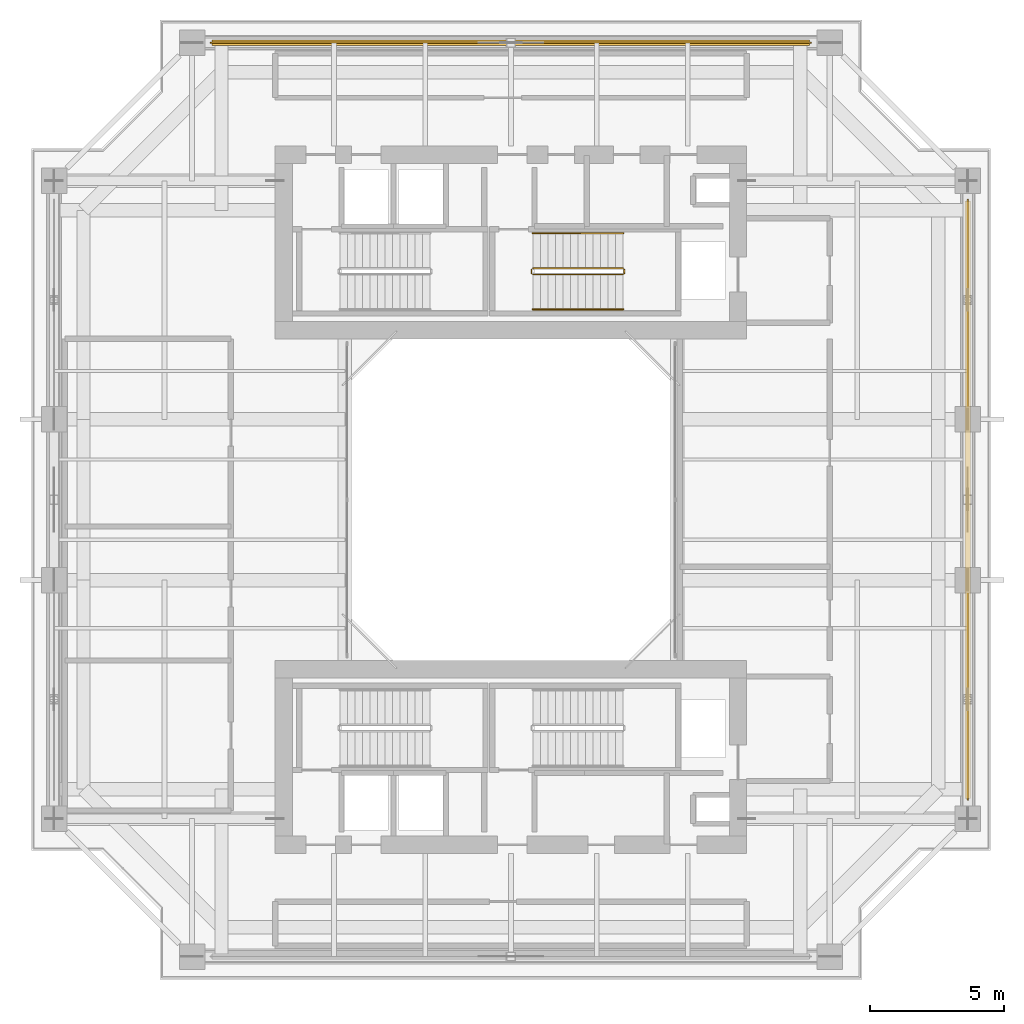
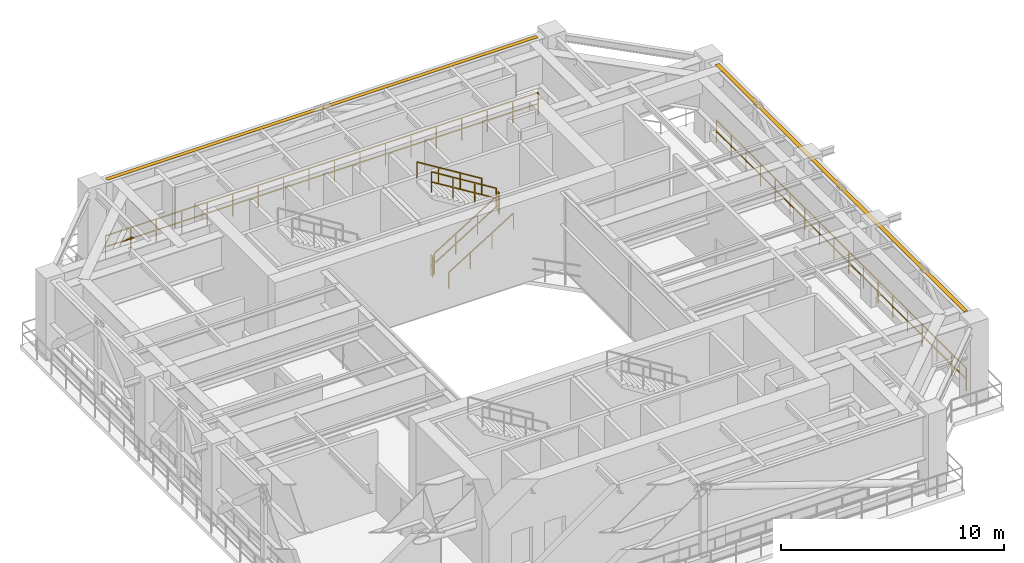
# One storey, part 11 of 11: 8 railings, 2 shading devices.
"""IFC4 building model written with IfcOpenShell, lengths in metres."""

from ifc_helpers import new_model, si_unit, direction, frame, origin, origin_2d, place, context, subcontext, project, spatial, rectangle, extrude, source, transform, mapped, material, material_profile, profile_set, type_object, element, save


model = new_model("IFC4")

# Units and contexts
model_context = context("Model", 3, precision=1e-05, world=origin(), true_north=direction((0.0, 1.0)))
body_context = subcontext(model_context, "Body", "Model", "MODEL_VIEW")
ifc_project = project(units=[si_unit("LENGTHUNIT", "METRE"), si_unit("AREAUNIT", "SQUARE_METRE"), si_unit("VOLUMEUNIT", "CUBIC_METRE"), si_unit("PLANEANGLEUNIT", "RADIAN"), si_unit("MASSUNIT", "GRAM", prefix="KILO"), si_unit("THERMODYNAMICTEMPERATUREUNIT", "KELVIN"), si_unit("POWERUNIT", "WATT")], contexts=[model_context])

# Site, building, storey
site_placement = place(None, origin())
site = spatial("IfcSite", under=ifc_project, at=site_placement, CompositionType="ELEMENT")
building_placement = place(site_placement, origin())
building = spatial("IfcBuilding", under=site, at=building_placement, Name="Qiaomeng Ring Towers", CompositionType="ELEMENT")
storey_placement = place(building_placement, frame((0.0, 0.0, 186.0)))
storey = spatial("IfcBuildingStorey", under=building, at=storey_placement, Name="L54", CompositionType="ELEMENT", Elevation=186.0)

# Railings
ifc_material_1 = material(Name="Stainless steel 316", Category="steel")
railing_type_1 = type_object("IfcRailingType", Name="ARC-RL-BAL2", PredefinedType="BALUSTRADE", material=ifc_material_1)
railing_1_placement = place(storey_placement, frame((30.199951171875, 40.050048828125, 0.0)))
element("IfcRailing", 1, at=railing_1_placement, inside=storey, type_object=railing_type_1, Name="L54 Open Refuge Band Perimeter Guard N", PredefinedType="BALUSTRADE", context=body_context, shape_type="SweptSolid", body=[
    extrude(rectangle(XDim=0.048095703125, YDim=0.048095703125, at=origin_2d()), frame((0.0, 0.0, 1.22607421875), z_axis=(-1.0, 0.0, 0.0), x_axis=(0.0, -1.0, 0.0)), (0.0, 0.0, 1.0), 22.39990234375),
    extrude(rectangle(XDim=0.048095703125, YDim=0.048095703125, at=origin_2d()), frame((0.0, 0.0, 0.625), z_axis=(-1.0, 0.0, 0.0), x_axis=(0.0, -1.0, 0.0)), (0.0, 0.0, 1.0), 22.39990234375),
    extrude(rectangle(XDim=0.0419921875, YDim=0.0419921875, at=origin_2d()), origin(), (0.0, 0.0, 1.0), 1.201904296875),
    extrude(rectangle(XDim=0.0419921875, YDim=0.0419921875, at=origin_2d()), frame((-1.317626953125, 0.0, 0.0)), (0.0, 0.0, 1.0), 1.201904296875),
    extrude(rectangle(XDim=0.0419921875, YDim=0.0419921875, at=origin_2d()), frame((-2.63525390625, 0.0, 0.0)), (0.0, 0.0, 1.0), 1.201904296875),
    extrude(rectangle(XDim=0.0419921875, YDim=0.0419921875, at=origin_2d()), frame((-3.952880859375, 0.0, 0.0)), (0.0, 0.0, 1.0), 1.201904296875),
    extrude(rectangle(XDim=0.0419921875, YDim=0.0419921875, at=origin_2d()), frame((-5.2705078125, 0.0, 0.0)), (0.0, 0.0, 1.0), 1.201904296875),
    extrude(rectangle(XDim=0.0419921875, YDim=0.0419921875, at=origin_2d()), frame((-6.588134765625, 0.0, 0.0)), (0.0, 0.0, 1.0), 1.201904296875),
    extrude(rectangle(XDim=0.0419921875, YDim=0.0419921875, at=origin_2d()), frame((-7.90576171875, 0.0, 0.0)), (0.0, 0.0, 1.0), 1.201904296875),
    extrude(rectangle(XDim=0.0419921875, YDim=0.0419921875, at=origin_2d()), frame((-9.223388671875, 0.0, 0.0)), (0.0, 0.0, 1.0), 1.201904296875),
    extrude(rectangle(XDim=0.0419921875, YDim=0.0419921875, at=origin_2d()), frame((-10.541015625, 0.0, 0.0)), (0.0, 0.0, 1.0), 1.201904296875),
    extrude(rectangle(XDim=0.0419921875, YDim=0.0419921875, at=origin_2d()), frame((-11.85888671875, 0.0, 0.0)), (0.0, 0.0, 1.0), 1.201904296875),
    extrude(rectangle(XDim=0.0419921875, YDim=0.0419921875, at=origin_2d()), frame((-13.176513671875, 0.0, 0.0)), (0.0, 0.0, 1.0), 1.201904296875),
    extrude(rectangle(XDim=0.0419921875, YDim=0.0419921875, at=origin_2d()), frame((-14.494140625, 0.0, 0.0)), (0.0, 0.0, 1.0), 1.201904296875),
    extrude(rectangle(XDim=0.0419921875, YDim=0.0419921875, at=origin_2d()), frame((-15.811767578125, 0.0, 0.0)), (0.0, 0.0, 1.0), 1.201904296875),
    extrude(rectangle(XDim=0.0419921875, YDim=0.0419921875, at=origin_2d()), frame((-17.12939453125, 0.0, 0.0)), (0.0, 0.0, 1.0), 1.201904296875),
    extrude(rectangle(XDim=0.0419921875, YDim=0.0419921875, at=origin_2d()), frame((-18.447021484375, 0.0, 0.0)), (0.0, 0.0, 1.0), 1.201904296875),
    extrude(rectangle(XDim=0.0419921875, YDim=0.0419921875, at=origin_2d()), frame((-19.7646484375, 0.0, 0.0)), (0.0, 0.0, 1.0), 1.201904296875),
    extrude(rectangle(XDim=0.0419921875, YDim=0.0419921875, at=origin_2d()), frame((-21.082275390625, 0.0, 0.0)), (0.0, 0.0, 1.0), 1.201904296875),
    extrude(rectangle(XDim=0.0419921875, YDim=0.0419921875, at=origin_2d()), frame((-22.39990234375, 0.0, 0.0)), (0.0, 0.0, 1.0), 1.201904296875),
])
railing_2_placement = place(storey_placement, frame((36.050048828125, 11.800048828125, 0.0)))
element("IfcRailing", 2, at=railing_2_placement, inside=storey, type_object=railing_type_1, Name="L54 Open Refuge Band Perimeter Guard E", PredefinedType="BALUSTRADE", context=body_context, shape_type="SweptSolid", body=[
    extrude(rectangle(XDim=0.048095703125, YDim=0.048095703125, at=origin_2d()), frame((0.0, 0.0, 1.22607421875), z_axis=(0.0, 1.0, 0.0), x_axis=(-1.0, 0.0, 0.0)), (0.0, 0.0, 1.0), 22.39990234375),
    extrude(rectangle(XDim=0.048095703125, YDim=0.048095703125, at=origin_2d()), frame((0.0, 0.0, 0.625), z_axis=(0.0, 1.0, 0.0), x_axis=(-1.0, 0.0, 0.0)), (0.0, 0.0, 1.0), 22.39990234375),
    extrude(rectangle(XDim=0.0419921875, YDim=0.0419921875, at=origin_2d()), origin(), (0.0, 0.0, 1.0), 1.201904296875),
    extrude(rectangle(XDim=0.0419921875, YDim=0.0419921875, at=origin_2d()), frame((0.0, 1.317626953125, 0.0)), (0.0, 0.0, 1.0), 1.201904296875),
    extrude(rectangle(XDim=0.0419921875, YDim=0.0419921875, at=origin_2d()), frame((0.0, 2.63525390625, 0.0)), (0.0, 0.0, 1.0), 1.201904296875),
    extrude(rectangle(XDim=0.0419921875, YDim=0.0419921875, at=origin_2d()), frame((0.0, 3.952880859375, 0.0)), (0.0, 0.0, 1.0), 1.201904296875),
    extrude(rectangle(XDim=0.0419921875, YDim=0.0419921875, at=origin_2d()), frame((0.0, 5.2705078125, 0.0)), (0.0, 0.0, 1.0), 1.201904296875),
    extrude(rectangle(XDim=0.0419921875, YDim=0.0419921875, at=origin_2d()), frame((0.0, 6.588134765625, 0.0)), (0.0, 0.0, 1.0), 1.201904296875),
    extrude(rectangle(XDim=0.0419921875, YDim=0.0419921875, at=origin_2d()), frame((0.0, 7.90576171875, 0.0)), (0.0, 0.0, 1.0), 1.201904296875),
    extrude(rectangle(XDim=0.0419921875, YDim=0.0419921875, at=origin_2d()), frame((0.0, 9.223388671875, 0.0)), (0.0, 0.0, 1.0), 1.201904296875),
    extrude(rectangle(XDim=0.0419921875, YDim=0.0419921875, at=origin_2d()), frame((0.0, 10.541015625, 0.0)), (0.0, 0.0, 1.0), 1.201904296875),
    extrude(rectangle(XDim=0.0419921875, YDim=0.0419921875, at=origin_2d()), frame((0.0, 11.85888671875, 0.0)), (0.0, 0.0, 1.0), 1.201904296875),
    extrude(rectangle(XDim=0.0419921875, YDim=0.0419921875, at=origin_2d()), frame((0.0, 13.176513671875, 0.0)), (0.0, 0.0, 1.0), 1.201904296875),
    extrude(rectangle(XDim=0.0419921875, YDim=0.0419921875, at=origin_2d()), frame((0.0, 14.494140625, 0.0)), (0.0, 0.0, 1.0), 1.201904296875),
    extrude(rectangle(XDim=0.0419921875, YDim=0.0419921875, at=origin_2d()), frame((0.0, 15.811767578125, 0.0)), (0.0, 0.0, 1.0), 1.201904296875),
    extrude(rectangle(XDim=0.0419921875, YDim=0.0419921875, at=origin_2d()), frame((0.0, 17.12939453125, 0.0)), (0.0, 0.0, 1.0), 1.201904296875),
    extrude(rectangle(XDim=0.0419921875, YDim=0.0419921875, at=origin_2d()), frame((0.0, 18.447021484375, 0.0)), (0.0, 0.0, 1.0), 1.201904296875),
    extrude(rectangle(XDim=0.0419921875, YDim=0.0419921875, at=origin_2d()), frame((0.0, 19.7646484375, 0.0)), (0.0, 0.0, 1.0), 1.201904296875),
    extrude(rectangle(XDim=0.0419921875, YDim=0.0419921875, at=origin_2d()), frame((0.0, 21.082275390625, 0.0)), (0.0, 0.0, 1.0), 1.201904296875),
    extrude(rectangle(XDim=0.0419921875, YDim=0.0419921875, at=origin_2d()), frame((0.0, 22.39990234375, 0.0)), (0.0, 0.0, 1.0), 1.201904296875),
])
ifc_material_2 = material(Name="Galvanised steel", Category="steel")
railing_type_2 = type_object("IfcRailingType", Name="ARC-RL-GUARD", PredefinedType="GUARDRAIL", material=ifc_material_2)
railing_3_placement = place(storey_placement, frame((19.820068359375, 31.39990234375, 0.173095703125)))
element("IfcRailing", 3, at=railing_3_placement, inside=storey, type_object=railing_type_2, Name="L54 ST2 stair guard 1", PredefinedType="GUARDRAIL", context=body_context, shape_type="SweptSolid", body=[
    extrude(rectangle(XDim=0.048095703125, YDim=0.048095703125, at=origin_2d()), frame((0.0, 0.0, 1.1259765625), z_axis=(0.850606129759, 0.0, 0.525803396734), x_axis=(0.0, 1.0, 0.0)), (0.0, 0.0, 1.0), 3.949951171875),
    extrude(rectangle(XDim=0.048095703125, YDim=0.048095703125, at=origin_2d()), frame((0.0, 0.0, 0.574951171875), z_axis=(0.850606129759, 0.0, 0.525803396734), x_axis=(0.0, 1.0, 0.0)), (0.0, 0.0, 1.0), 3.949951171875),
    extrude(rectangle(XDim=0.0419921875, YDim=0.0419921875, at=origin_2d()), origin(), (0.0, 0.0, 1.0), 1.101806640625),
    extrude(rectangle(XDim=0.0419921875, YDim=0.0419921875, at=origin_2d()), frame((1.119873046875, 0.0, 0.6923828125)), (0.0, 0.0, 1.0), 1.101806640625),
    extrude(rectangle(XDim=0.0419921875, YDim=0.0419921875, at=origin_2d()), frame((2.239990234375, 0.0, 1.384521484375)), (0.0, 0.0, 1.0), 1.101806640625),
    extrude(rectangle(XDim=0.0419921875, YDim=0.0419921875, at=origin_2d()), frame((3.35986328125, 0.0, 2.076904296875)), (0.0, 0.0, 1.0), 1.101806640625),
])
railing_4_placement = place(storey_placement, frame((23.22998046875, 31.449951171875, 2.25)))
element("IfcRailing", 4, at=railing_4_placement, inside=storey, type_object=railing_type_2, Name="L54 ST2 stair guard 2", PredefinedType="GUARDRAIL", context=body_context, shape_type="SweptSolid", body=[
    extrude(rectangle(XDim=0.048095703125, YDim=0.048095703125, at=origin_2d()), frame((0.0, 0.0, 1.1259765625), z_axis=(0.0, 1.0, 0.0), x_axis=(-1.0, 0.0, 0.0)), (0.0, 0.0, 1.0), 0.14013671875),
    extrude(rectangle(XDim=0.048095703125, YDim=0.048095703125, at=origin_2d()), frame((0.0, 0.0, 0.574951171875), z_axis=(0.0, 1.0, 0.0), x_axis=(-1.0, 0.0, 0.0)), (0.0, 0.0, 1.0), 0.14013671875),
    extrude(rectangle(XDim=0.0419921875, YDim=0.0419921875, at=origin_2d()), origin(), (0.0, 0.0, 1.0), 1.101806640625),
    extrude(rectangle(XDim=0.0419921875, YDim=0.0419921875, at=origin_2d()), frame((0.0, 0.14013671875, 0.0)), (0.0, 0.0, 1.0), 1.101806640625),
])
railing_5_placement = place(storey_placement, frame((23.179931640625, 31.639892578125, 2.423095703125)))
element("IfcRailing", 5, at=railing_5_placement, inside=storey, type_object=railing_type_2, Name="L54 ST2 stair guard 3", PredefinedType="GUARDRAIL", context=body_context, shape_type="SweptSolid", body=[
    extrude(rectangle(XDim=0.048095703125, YDim=0.048095703125, at=origin_2d()), frame((0.0, 0.0, 1.1259765625), z_axis=(-0.850606129759, 0.0, 0.525803396734), x_axis=(0.0, -1.0, 0.0)), (0.0, 0.0, 1.0), 3.949951171875),
    extrude(rectangle(XDim=0.048095703125, YDim=0.048095703125, at=origin_2d()), frame((0.0, 0.0, 0.574951171875), z_axis=(-0.850606129759, 0.0, 0.525803396734), x_axis=(0.0, -1.0, 0.0)), (0.0, 0.0, 1.0), 3.949951171875),
    extrude(rectangle(XDim=0.0419921875, YDim=0.0419921875, at=origin_2d()), origin(), (0.0, 0.0, 1.0), 1.101806640625),
    extrude(rectangle(XDim=0.0419921875, YDim=0.0419921875, at=origin_2d()), frame((-1.119873046875, 0.0, 0.6923828125)), (0.0, 0.0, 1.0), 1.101806640625),
    extrude(rectangle(XDim=0.0419921875, YDim=0.0419921875, at=origin_2d()), frame((-2.239990234375, 0.0, 1.384521484375)), (0.0, 0.0, 1.0), 1.101806640625),
    extrude(rectangle(XDim=0.0419921875, YDim=0.0419921875, at=origin_2d()), frame((-3.35986328125, 0.0, 2.076904296875)), (0.0, 0.0, 1.0), 1.101806640625),
])
railing_6_placement = place(storey_placement, frame((19.77001953125, 31.449951171875, 0.0)))
element("IfcRailing", 6, at=railing_6_placement, inside=storey, type_object=railing_type_2, Name="L54 ST2 stair guard 4", PredefinedType="GUARDRAIL", context=body_context, shape_type="SweptSolid", body=[
    extrude(rectangle(XDim=0.048095703125, YDim=0.048095703125, at=origin_2d()), frame((0.0, 0.0, 1.1259765625), z_axis=(0.0, 1.0, 0.0), x_axis=(-1.0, 0.0, 0.0)), (0.0, 0.0, 1.0), 0.14013671875),
    extrude(rectangle(XDim=0.048095703125, YDim=0.048095703125, at=origin_2d()), frame((0.0, 0.0, 0.574951171875), z_axis=(0.0, 1.0, 0.0), x_axis=(-1.0, 0.0, 0.0)), (0.0, 0.0, 1.0), 0.14013671875),
    extrude(rectangle(XDim=0.0419921875, YDim=0.0419921875, at=origin_2d()), origin(), (0.0, 0.0, 1.0), 1.101806640625),
    extrude(rectangle(XDim=0.0419921875, YDim=0.0419921875, at=origin_2d()), frame((0.0, 0.14013671875, 0.0)), (0.0, 0.0, 1.0), 1.101806640625),
])
railing_type_3 = type_object("IfcRailingType", Name="ARC-RL-HAND", PredefinedType="HANDRAIL", material=ifc_material_1)
railing_7_placement = place(storey_placement, frame((19.820068359375, 30.10009765625, 0.173095703125)))
element("IfcRailing", 7, at=railing_7_placement, inside=storey, type_object=railing_type_3, Name="L54 ST2 stair handrail 1", PredefinedType="HANDRAIL", context=body_context, shape_type="SweptSolid", body=[
    extrude(rectangle(XDim=0.048095703125, YDim=0.048095703125, at=origin_2d()), frame((0.0, 0.0, 0.8759765625), z_axis=(0.850606129759, 0.0, 0.525803396734), x_axis=(0.0, 1.0, 0.0)), (0.0, 0.0, 1.0), 3.949951171875),
    extrude(rectangle(XDim=0.0419921875, YDim=0.0419921875, at=origin_2d()), origin(), (0.0, 0.0, 1.0), 0.851806640625),
    extrude(rectangle(XDim=0.0419921875, YDim=0.0419921875, at=origin_2d()), frame((1.119873046875, 0.0, 0.6923828125)), (0.0, 0.0, 1.0), 0.851806640625),
    extrude(rectangle(XDim=0.0419921875, YDim=0.0419921875, at=origin_2d()), frame((2.239990234375, 0.0, 1.384521484375)), (0.0, 0.0, 1.0), 0.851806640625),
    extrude(rectangle(XDim=0.0419921875, YDim=0.0419921875, at=origin_2d()), frame((3.35986328125, 0.0, 2.076904296875)), (0.0, 0.0, 1.0), 0.851806640625),
])
railing_8_placement = place(storey_placement, frame((23.179931640625, 32.93994140625, 2.423095703125)))
element("IfcRailing", 8, at=railing_8_placement, inside=storey, type_object=railing_type_3, Name="L54 ST2 stair handrail 2", PredefinedType="HANDRAIL", context=body_context, shape_type="SweptSolid", body=[
    extrude(rectangle(XDim=0.048095703125, YDim=0.048095703125, at=origin_2d()), frame((0.0, 0.0, 0.8759765625), z_axis=(-0.850606129759, 0.0, 0.525803396734), x_axis=(0.0, -1.0, 0.0)), (0.0, 0.0, 1.0), 3.949951171875),
    extrude(rectangle(XDim=0.0419921875, YDim=0.0419921875, at=origin_2d()), origin(), (0.0, 0.0, 1.0), 0.851806640625),
    extrude(rectangle(XDim=0.0419921875, YDim=0.0419921875, at=origin_2d()), frame((-1.119873046875, 0.0, 0.6923828125)), (0.0, 0.0, 1.0), 0.851806640625),
    extrude(rectangle(XDim=0.0419921875, YDim=0.0419921875, at=origin_2d()), frame((-2.239990234375, 0.0, 1.384521484375)), (0.0, 0.0, 1.0), 0.851806640625),
    extrude(rectangle(XDim=0.0419921875, YDim=0.0419921875, at=origin_2d()), frame((-3.35986328125, 0.0, 2.076904296875)), (0.0, 0.0, 1.0), 0.851806640625),
])

# Shading devices
ifc_material_profile = material_profile(ifc_material_1, rectangle(XDim=0.199951171875, YDim=0.0400390625, at=origin_2d()), Name="LV BLADE 200x40")
ifc_profile_set = profile_set([ifc_material_profile], Name="Stainless steel 316")
shading_device_type = type_object("IfcShadingDeviceType", Name="ARC-SHD-LOUVRE", PredefinedType="JALOUSIE", material=ifc_profile_set)
shared_shape = source(origin(), body_context, "Body", "SweptSolid", [
    extrude(rectangle(XDim=0.199951171875, YDim=0.0400390625, at=origin_2d()), origin(), (0.0, 0.0, 1.0), 22.2998046875),
])
for number, where, z_axis, x_axis, name in (
    (9, (30.14990234375, 40.050048828125, 4.300048828125), (-1.0, 0.0, 0.0), (0.0, -1.0, 0.0), "L54 Stainless Acoustic Intake Louvre N"),
    (10, (36.050048828125, 11.85009765625, 4.300048828125), (0.0, 1.0, 0.0), (-1.0, 0.0, 0.0), "L54 Stainless Acoustic Intake Louvre E"),
):
    element("IfcShadingDevice", number, at=place(storey_placement, frame(where, z_axis=z_axis, x_axis=x_axis)), inside=storey, type_object=shading_device_type, Name=name, PredefinedType="JALOUSIE", context=body_context, shape_type="MappedRepresentation", body=[
        mapped(shared_shape, transform((0.0, 0.0, 0.0), x_axis=(1.0, 0.0, 0.0), y_axis=(0.0, 1.0, 0.0), z_axis=(0.0, 0.0, 1.0), scale=1.0)),
    ])

save(model, "model.ifc")
